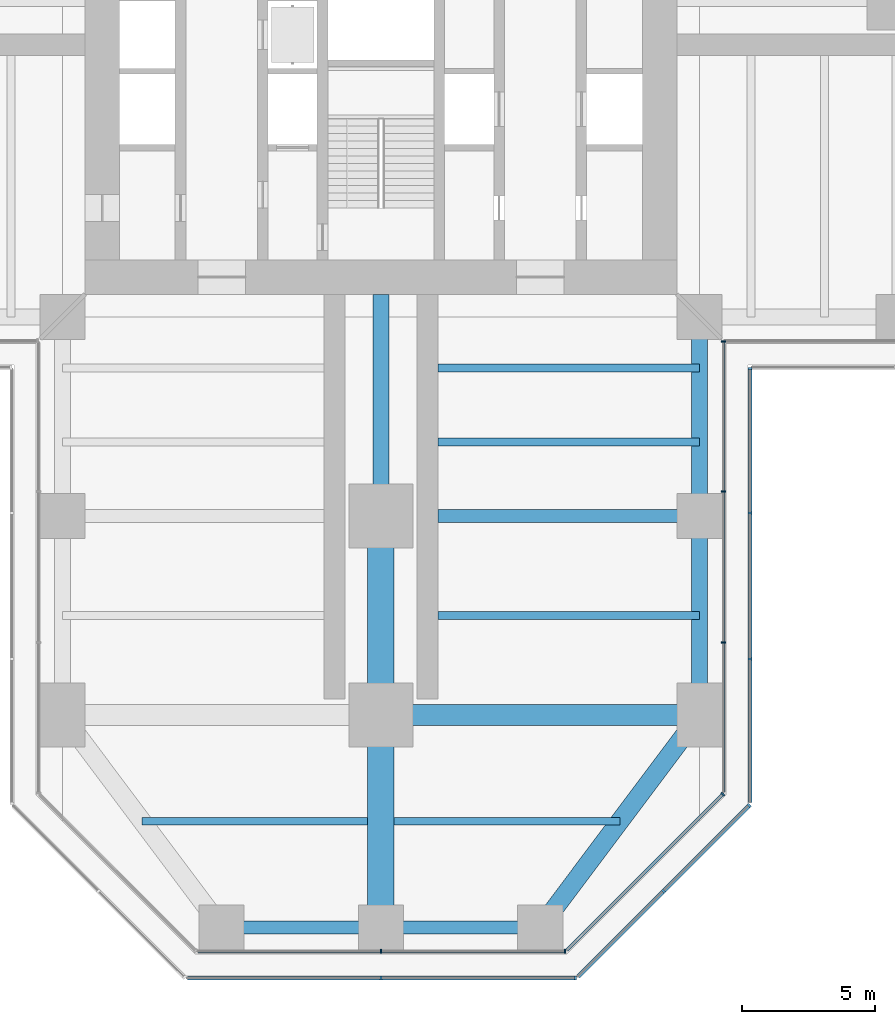
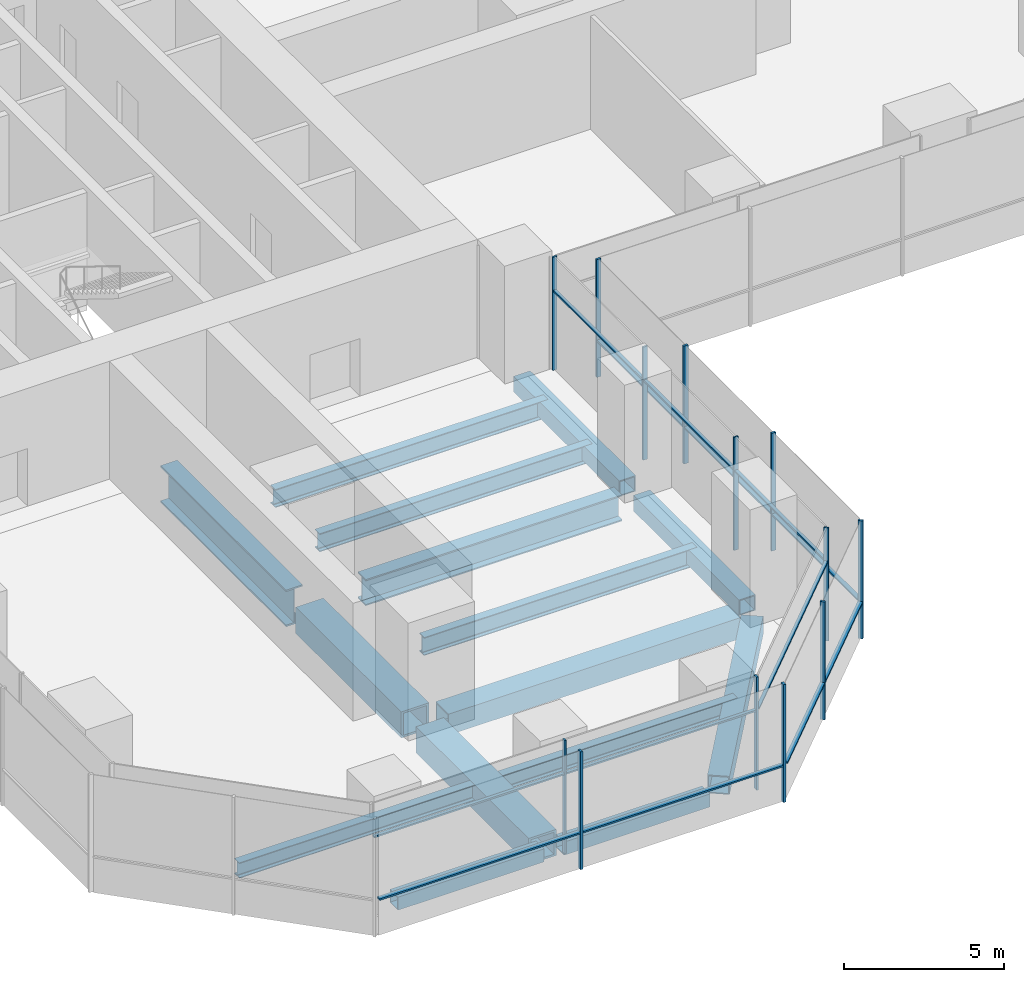
# One storey, part 5 of 27: 26 members, 15 beams, 6 elements without a shape of their own.
"""IFC4 building model written with IfcOpenShell, lengths in metres."""

from ifc_helpers import new_model, si_unit, direction, frame, origin, origin_2d, place, context, subcontext, project, spatial, rectangle, hollow_rectangle, i_section, extrude, material, material_profile, profile_set, type_object, element, aggregate, save


model = new_model("IFC4")

# Units and contexts
model_context = context("Model", 3, precision=1e-05, world=origin(), true_north=direction((0.0, 1.0)))
body_context = subcontext(model_context, "Body", "Model", "MODEL_VIEW")
ifc_project = project(units=[si_unit("LENGTHUNIT", "METRE"), si_unit("AREAUNIT", "SQUARE_METRE"), si_unit("VOLUMEUNIT", "CUBIC_METRE"), si_unit("PLANEANGLEUNIT", "RADIAN"), si_unit("MASSUNIT", "GRAM", prefix="KILO")], contexts=[model_context])

# Site, building, storey
site_placement = place(None, origin())
site = spatial("IfcSite", under=ifc_project, at=site_placement, CompositionType="ELEMENT")
building_placement = place(site_placement, origin())
building = spatial("IfcBuilding", under=site, at=building_placement, Name="Mizan Broadcast Tower", CompositionType="ELEMENT")
storey_placement = place(building_placement, frame((0.0, 0.0, 113.699951171875)))
storey = spatial("IfcBuildingStorey", under=building, at=storey_placement, Name="L25", CompositionType="ELEMENT", Elevation=113.699951171875)

# Beams
ifc_material_1 = material(Name="Steel S355", Category="steel")
ifc_material_profile_1 = material_profile(ifc_material_1, hollow_rectangle(XDim=0.5, YDim=0.5, WallThickness=0.030029296875, at=origin_2d()), Name="BOX 500x500x30")
ifc_profile_set_1 = profile_set([ifc_material_profile_1], Name="Steel S355")
beam_type_1 = type_object("IfcBeamType", Name="EDGE BEAM BOX 500x500x30", PredefinedType="SPANDREL", material=ifc_profile_set_1)
for number, where, z_axis, x_axis, name in (
    (1, (-5.639892578125, -35.0, -0.3798828125), (1.0, 0.0, 0.0), (0.0, 1.0, 0.0), "Edge beam BOX 500x500x30 L25 south arm"),
    (2, (5.639892578125, -35.0, -0.3798828125), (-1.0, 0.0, 0.0), (0.0, -1.0, 0.0), "Edge beam BOX 500x500x30 L25 south arm"),
):
    element("IfcBeam", number, at=place(storey_placement, frame(where, z_axis=z_axis, x_axis=x_axis)), inside=storey, type_object=beam_type_1, Name=name, PredefinedType="SPANDREL", context=body_context, shape_type="SweptSolid", body=[
        extrude(hollow_rectangle(XDim=0.5, YDim=0.5, WallThickness=0.030029296875, at=origin_2d()), origin(), (0.0, 0.0, 1.0), 5.27978515625),
    ])
ifc_material_2 = material(Name="Steel S355", Category="steel")
ifc_material_profile_2 = material_profile(ifc_material_2, hollow_rectangle(XDim=0.60009765625, YDim=0.60009765625, WallThickness=0.0400390625, at=origin_2d()), Name="BOX 600x600x40")
ifc_profile_set_2 = profile_set([ifc_material_profile_2], Name="Steel S355")
beam_type_2 = type_object("IfcBeamType", Name="EDGE BEAM BOX 600x600x40", PredefinedType="SPANDREL", material=ifc_profile_set_2)
for number, where, z_axis, x_axis, name in (
    (3, (12.0, -12.449951171875, -0.429931640625), (0.0, -1.0, 0.0), (1.0, 0.0, 0.0), "Edge beam BOX 600x600x40 L25 south arm"),
    (4, (12.0, -19.949951171875, -0.429931640625), (0.0, -1.0, 0.0), (1.0, 0.0, 0.0), "Edge beam BOX 600x600x40 L25 south arm"),
):
    element("IfcBeam", number, at=place(storey_placement, frame(where, z_axis=z_axis, x_axis=x_axis)), inside=storey, type_object=beam_type_2, Name=name, PredefinedType="SPANDREL", context=body_context, shape_type="SweptSolid", body=[
        extrude(hollow_rectangle(XDim=0.60009765625, YDim=0.60009765625, WallThickness=0.0400390625, at=origin_2d()), origin(), (0.0, 0.0, 1.0), 6.60009765625),
    ])
ifc_material_3 = material(Name="Steel S355", Category="steel")
ifc_material_profile_3 = material_profile(ifc_material_3, hollow_rectangle(XDim=0.699951171875, YDim=0.699951171875, WallThickness=0.0400390625, at=origin_2d()), Name="BOX 700x700x40")
ifc_profile_set_3 = profile_set([ifc_material_profile_3], Name="Steel S355")
beam_type_3 = type_object("IfcBeamType", Name="EDGE BEAM BOX 700x700x40", PredefinedType="SPANDREL", material=ifc_profile_set_3)
beam_1_placement = place(storey_placement, frame((11.639892578125, -27.47998046875, -0.47998046875), z_axis=(-0.599982243973, -0.800013316712, 0.0), x_axis=(0.800013316712, -0.599982243973, 0.0)))
element("IfcBeam", 5, at=beam_1_placement, inside=storey, type_object=beam_type_3, Name="Edge beam BOX 700x700x40 L25 south arm", PredefinedType="SPANDREL", context=body_context, shape_type="SweptSolid", body=[
    extrude(hollow_rectangle(XDim=0.699951171875, YDim=0.699951171875, WallThickness=0.0400390625, at=origin_2d()), origin(), (0.0, 0.0, 1.0), 8.7998046875),
])
ifc_material_4 = material(Name="Steel S460", Category="steel")
ifc_material_profile_4 = material_profile(ifc_material_4, hollow_rectangle(XDim=1.0, YDim=1.0, WallThickness=0.080078125, at=origin_2d()), Name="BOX 1000x1000x80")
ifc_profile_set_4 = profile_set([ifc_material_profile_4], Name="Steel S460")
beam_type_4 = type_object("IfcBeamType", Name="GIRDER BOX 1000x1000x80", PredefinedType="BEAM", material=ifc_profile_set_4)
beam_2_placement = place(storey_placement, frame((0.0, -19.949951171875, -0.6298828125), z_axis=(0.0, -1.0, 0.0), x_axis=(1.0, 0.0, 0.0)))
element("IfcBeam", 6, at=beam_2_placement, inside=storey, type_object=beam_type_4, Name="Girder BOX 1000x1000x80 L25 south arm", PredefinedType="BEAM", context=body_context, shape_type="SweptSolid", body=[
    extrude(hollow_rectangle(XDim=1.0, YDim=1.0, WallThickness=0.080078125, at=origin_2d()), origin(), (0.0, 0.0, 1.0), 6.60009765625),
])
beam_3_placement = place(storey_placement, frame((0.0, -27.47998046875, -0.6298828125), z_axis=(0.0, -1.0, 0.0), x_axis=(1.0, 0.0, 0.0)))
element("IfcBeam", 7, at=beam_3_placement, inside=storey, type_object=beam_type_4, Name="Girder BOX 1000x1000x80 L25 south arm", PredefinedType="BEAM", context=body_context, shape_type="SweptSolid", body=[
    extrude(hollow_rectangle(XDim=1.0, YDim=1.0, WallThickness=0.080078125, at=origin_2d()), origin(), (0.0, 0.0, 1.0), 7.0400390625),
])
ifc_material_5 = material(Name="Steel S460", Category="steel")
ifc_material_profile_5 = material_profile(ifc_material_5, hollow_rectangle(XDim=0.800048828125, YDim=0.800048828125, WallThickness=0.050048828125, at=origin_2d()), Name="BOX 800x800x50")
ifc_profile_set_5 = profile_set([ifc_material_profile_5], Name="Steel S460")
beam_type_5 = type_object("IfcBeamType", Name="GIRDER BOX 800x800x50", PredefinedType="BEAM", material=ifc_profile_set_5)
beam_4_placement = place(storey_placement, frame((11.280029296875, -27.0, -0.530029296875), z_axis=(-1.0, 0.0, 0.0), x_axis=(0.0, -1.0, 0.0)))
element("IfcBeam", 8, at=beam_4_placement, inside=storey, type_object=beam_type_5, Name="Girder BOX 800x800x50 L25 south arm", PredefinedType="BEAM", context=body_context, shape_type="SweptSolid", body=[
    extrude(hollow_rectangle(XDim=0.800048828125, YDim=0.800048828125, WallThickness=0.050048828125, at=origin_2d()), origin(), (0.0, 0.0, 1.0), 10.56005859375),
])
ifc_material_6 = material(Name="Steel S460", Category="steel")
ifc_material_profile_6 = material_profile(ifc_material_6, i_section(OverallWidth=0.5, OverallDepth=1.0, WebThickness=0.02490234375, FlangeThickness=0.050048828125, at=origin_2d()), Name="WPG 1000x500")
ifc_profile_set_6 = profile_set([ifc_material_profile_6], Name="Steel S460")
beam_type_6 = type_object("IfcBeamType", Name="GIRDER WPG 1000x500", PredefinedType="BEAM", material=ifc_profile_set_6)
beam_5_placement = place(storey_placement, frame((11.408935546875, -19.5, -0.6298828125), z_axis=(-1.0, 0.0, 0.0), x_axis=(0.0, -1.0, 0.0)))
element("IfcBeam", 9, at=beam_5_placement, inside=storey, type_object=beam_type_6, Name="Girder WPG 1000x500 L25 south arm", PredefinedType="BEAM", context=body_context, shape_type="SweptSolid", body=[
    extrude(i_section(OverallWidth=0.5, OverallDepth=1.0, WebThickness=0.02490234375, FlangeThickness=0.050048828125, at=origin_2d()), origin(), (0.0, 0.0, 1.0), 9.259033203125),
])
ifc_material_7 = material(Name="Steel S460", Category="steel")
ifc_material_profile_7 = material_profile(ifc_material_7, i_section(OverallWidth=0.60009765625, OverallDepth=1.39990234375, WebThickness=0.02490234375, FlangeThickness=0.06005859375, at=origin_2d()), Name="WPG 1400x600")
ifc_profile_set_7 = profile_set([ifc_material_profile_7], Name="Steel S460")
beam_type_7 = type_object("IfcBeamType", Name="GIRDER WPG 1400x600", PredefinedType="BEAM", material=ifc_profile_set_7)
beam_6_placement = place(storey_placement, frame((0.0, -11.14990234375, -0.829833984375), z_axis=(0.0, -1.0, 0.0), x_axis=(1.0, 0.0, 0.0)))
element("IfcBeam", 10, at=beam_6_placement, inside=storey, type_object=beam_type_7, Name="Girder WPG 1400x600 L25 south arm", PredefinedType="BEAM", context=body_context, shape_type="SweptSolid", body=[
    extrude(i_section(OverallWidth=0.60009765625, OverallDepth=1.39990234375, WebThickness=0.02490234375, FlangeThickness=0.06005859375, at=origin_2d()), origin(), (0.0, 0.0, 1.0), 7.84912109375),
])

# Curtain wall, members
ifc_material_8 = material(Name="Aluminium framed glazing", Category="aluminium")
curtain_wall_type_1 = type_object("IfcCurtainWallType", Name="INNER SKIN MID ZONE", PredefinedType="USERDEFINED", material=ifc_material_8)
curtain_wall_1_placement = place(storey_placement, origin())
curtain_wall_1 = element("IfcCurtainWall", 11, at=curtain_wall_1_placement, inside=storey, type_object=curtain_wall_type_1, Name="Inner skin mid zone L25 S end", ObjectType="INNER SKIN MID ZONE", PredefinedType="USERDEFINED")
ifc_material_9 = material(Name="Aluminium, pale anodised", Category="aluminium")
ifc_material_profile_8 = material_profile(ifc_material_9, rectangle(XDim=0.159912109375, YDim=0.06005859375, at=origin_2d()), Name="MULLION 160x60")
ifc_profile_set_8 = profile_set([ifc_material_profile_8], Name="Aluminium, pale anodised")
member_type_1 = type_object("IfcMemberType", Name="INNER SKIN MULLION 60x160", PredefinedType="MULLION", material=ifc_profile_set_8)
member_1_placement = place(storey_placement, frame((0.0, -35.89990234375, 0.0), z_axis=(0.0, 0.0, 1.0), x_axis=(0.0, 1.0, 0.0)))
member_1 = element("IfcMember", 12, at=member_1_placement, type_object=member_type_1, Name="Inner skin mid zone L25 S end mullion 2", PredefinedType="MULLION", context=body_context, shape_type="SweptSolid", body=[
    extrude(rectangle(XDim=0.159912109375, YDim=0.06005859375, at=origin_2d()), origin(), (0.0, 0.0, 1.0), 4.320068359375),
])
member_2_placement = place(storey_placement, frame((6.928466796875, -35.89990234375, 0.0), z_axis=(0.0, 0.0, 1.0), x_axis=(0.0, 1.0, 0.0)))
member_2 = element("IfcMember", 13, at=member_2_placement, type_object=member_type_1, Name="Inner skin mid zone L25 S end mullion 3", PredefinedType="MULLION", context=body_context, shape_type="SweptSolid", body=[
    extrude(rectangle(XDim=0.159912109375, YDim=0.06005859375, at=origin_2d()), origin(), (0.0, 0.0, 1.0), 4.320068359375),
])

# Curtain wall, member
curtain_wall_2_placement = place(storey_placement, origin())
curtain_wall_2 = element("IfcCurtainWall", 14, at=curtain_wall_2_placement, inside=storey, type_object=curtain_wall_type_1, Name="Inner skin mid zone L25 S chamfer", ObjectType="INNER SKIN MID ZONE", PredefinedType="USERDEFINED")
member_3_placement = place(storey_placement, frame((12.87890625, -29.979736328125, 0.0), z_axis=(0.0, 0.0, 1.0), x_axis=(-0.707106781187, 0.707106781187, 0.0)))
member_3 = element("IfcMember", 15, at=member_3_placement, type_object=member_type_1, Name="Inner skin mid zone L25 S chamfer mullion 2", PredefinedType="MULLION", context=body_context, shape_type="SweptSolid", body=[
    extrude(rectangle(XDim=0.159912109375, YDim=0.06005859375, at=origin_2d()), origin(), (0.0, 0.0, 1.0), 4.320068359375),
])

# Curtain wall, members
curtain_wall_3_placement = place(storey_placement, origin())
curtain_wall_3 = element("IfcCurtainWall", 16, at=curtain_wall_3_placement, inside=storey, type_object=curtain_wall_type_1, Name="Inner skin mid zone L25 S side", ObjectType="INNER SKIN MID ZONE", PredefinedType="USERDEFINED")
member_4_placement = place(storey_placement, frame((12.89990234375, -24.2724609375, 0.0), z_axis=(0.0, 0.0, 1.0), x_axis=(-1.0, 0.0, 0.0)))
member_4 = element("IfcMember", 17, at=member_4_placement, type_object=member_type_1, Name="Inner skin mid zone L25 S side mullion 2", PredefinedType="MULLION", context=body_context, shape_type="SweptSolid", body=[
    extrude(rectangle(XDim=0.159912109375, YDim=0.06005859375, at=origin_2d()), origin(), (0.0, 0.0, 1.0), 4.320068359375),
])
member_5_placement = place(storey_placement, frame((12.89990234375, -18.586181640625, 0.0), z_axis=(0.0, 0.0, 1.0), x_axis=(-1.0, 0.0, 0.0)))
member_5 = element("IfcMember", 18, at=member_5_placement, type_object=member_type_1, Name="Inner skin mid zone L25 S side mullion 3", PredefinedType="MULLION", context=body_context, shape_type="SweptSolid", body=[
    extrude(rectangle(XDim=0.159912109375, YDim=0.06005859375, at=origin_2d()), origin(), (0.0, 0.0, 1.0), 4.320068359375),
])
member_6_placement = place(storey_placement, frame((12.89990234375, -12.929931640625, 0.0), z_axis=(0.0, 0.0, 1.0), x_axis=(-1.0, 0.0, 0.0)))
member_6 = element("IfcMember", 19, at=member_6_placement, type_object=member_type_1, Name="Inner skin mid zone L25 S side mullion 4", PredefinedType="MULLION", context=body_context, shape_type="SweptSolid", body=[
    extrude(rectangle(XDim=0.159912109375, YDim=0.06005859375, at=origin_2d()), origin(), (0.0, 0.0, 1.0), 4.320068359375),
])

# Member
ifc_material_10 = material(Name="Aluminium, pale anodised", Category="aluminium")
ifc_material_profile_9 = material_profile(ifc_material_10, rectangle(XDim=0.1201171875, YDim=0.06005859375, at=origin_2d()), Name="TRANSOM 120x60")
ifc_profile_set_9 = profile_set([ifc_material_profile_9], Name="Aluminium, pale anodised")
member_type_2 = type_object("IfcMemberType", Name="INNER SKIN TRANSOM 60x120", PredefinedType="USERDEFINED", material=ifc_profile_set_9)
member_7_placement = place(storey_placement, frame((-6.898681640625, -35.89990234375, 3.030029296875), z_axis=(1.0, 0.0, 0.0), x_axis=(0.0, 1.0, 0.0)))
member_7 = element("IfcMember", 20, at=member_7_placement, type_object=member_type_2, Name="Inner skin mid zone L25 S end transom 1.1", ObjectType="TRANSOM", PredefinedType="USERDEFINED", context=body_context, shape_type="SweptSolid", body=[
    extrude(rectangle(XDim=0.1201171875, YDim=0.06005859375, at=origin_2d()), origin(), (0.0, 0.0, 1.0), 6.86865234375),
])

member_8_placement = place(storey_placement, frame((0.030029296875, -35.89990234375, 3.030029296875), z_axis=(1.0, 0.0, 0.0), x_axis=(0.0, 1.0, 0.0)))
member_8 = element("IfcMember", 21, at=member_8_placement, type_object=member_type_2, Name="Inner skin mid zone L25 S end transom 2.1", ObjectType="TRANSOM", PredefinedType="USERDEFINED", context=body_context, shape_type="SweptSolid", body=[
    extrude(rectangle(XDim=0.1201171875, YDim=0.06005859375, at=origin_2d()), origin(), (0.0, 0.0, 1.0), 6.86865234375),
])

aggregate(curtain_wall_1, [member_1, member_2, member_7, member_8])

member_9_placement = place(storey_placement, frame((7.0009765625, -35.857666015625, 3.030029296875), z_axis=(0.707106781187, 0.707106781187, 0.0), x_axis=(-0.707106781187, 0.707106781187, 0.0)))
member_9 = element("IfcMember", 22, at=member_9_placement, type_object=member_type_2, Name="Inner skin mid zone L25 S chamfer transom 1.1", ObjectType="TRANSOM", PredefinedType="USERDEFINED", context=body_context, shape_type="SweptSolid", body=[
    extrude(rectangle(XDim=0.1201171875, YDim=0.06005859375, at=origin_2d()), origin(), (0.0, 0.0, 1.0), 8.28271484375),
])

aggregate(curtain_wall_2, [member_3, member_9])

member_10_placement = place(storey_placement, frame((12.89990234375, -29.898681640625, 3.030029296875), z_axis=(0.0, 1.0, 0.0), x_axis=(-1.0, 0.0, 0.0)))
member_10 = element("IfcMember", 23, at=member_10_placement, type_object=member_type_2, Name="Inner skin mid zone L25 S side transom 1.1", ObjectType="TRANSOM", PredefinedType="USERDEFINED", context=body_context, shape_type="SweptSolid", body=[
    extrude(rectangle(XDim=0.1201171875, YDim=0.06005859375, at=origin_2d()), origin(), (0.0, 0.0, 1.0), 5.59619140625),
])

member_11_placement = place(storey_placement, frame((12.89990234375, -24.242431640625, 3.030029296875), z_axis=(0.0, 1.0, 0.0), x_axis=(-1.0, 0.0, 0.0)))
member_11 = element("IfcMember", 24, at=member_11_placement, type_object=member_type_2, Name="Inner skin mid zone L25 S side transom 2.1", ObjectType="TRANSOM", PredefinedType="USERDEFINED", context=body_context, shape_type="SweptSolid", body=[
    extrude(rectangle(XDim=0.1201171875, YDim=0.06005859375, at=origin_2d()), origin(), (0.0, 0.0, 1.0), 5.626220703125),
])

member_12_placement = place(storey_placement, frame((12.89990234375, -18.55615234375, 3.030029296875), z_axis=(0.0, 1.0, 0.0), x_axis=(-1.0, 0.0, 0.0)))
member_12 = element("IfcMember", 25, at=member_12_placement, type_object=member_type_2, Name="Inner skin mid zone L25 S side transom 3.1", ObjectType="TRANSOM", PredefinedType="USERDEFINED", context=body_context, shape_type="SweptSolid", body=[
    extrude(rectangle(XDim=0.1201171875, YDim=0.06005859375, at=origin_2d()), origin(), (0.0, 0.0, 1.0), 5.59619140625),
])

aggregate(curtain_wall_3, [member_4, member_5, member_6, member_10, member_11, member_12])

# Curtain wall, members
ifc_material_11 = material(Name="Aluminium framed glazing", Category="aluminium")
curtain_wall_type_2 = type_object("IfcCurtainWallType", Name="OUTER SKIN", PredefinedType="USERDEFINED", material=ifc_material_11)
curtain_wall_4_placement = place(storey_placement, origin())
curtain_wall_4 = element("IfcCurtainWall", 26, at=curtain_wall_4_placement, inside=storey, type_object=curtain_wall_type_2, Name="Outer skin L25 S end", ObjectType="OUTER SKIN", PredefinedType="USERDEFINED")
ifc_material_12 = material(Name="Aluminium, pale anodised", Category="aluminium")
ifc_material_profile_10 = material_profile(ifc_material_12, rectangle(XDim=0.159912109375, YDim=0.080078125, at=origin_2d()), Name="MULLION 160x80")
ifc_profile_set_10 = profile_set([ifc_material_profile_10], Name="Aluminium, pale anodised")
member_type_3 = type_object("IfcMemberType", Name="OUTER SKIN MULLION 80x160", PredefinedType="MULLION", material=ifc_profile_set_10)
member_13_placement = place(storey_placement, frame((0.0, -36.89990234375, 0.0), z_axis=(0.0, 0.0, 1.0), x_axis=(0.0, 1.0, 0.0)))
member_13 = element("IfcMember", 27, at=member_13_placement, type_object=member_type_3, Name="Outer skin L25 S end mullion 2", PredefinedType="MULLION", context=body_context, shape_type="SweptSolid", body=[
    extrude(rectangle(XDim=0.159912109375, YDim=0.080078125, at=origin_2d()), origin(), (0.0, 0.0, 1.0), 4.5),
])
member_14_placement = place(storey_placement, frame((7.332763671875, -36.89990234375, 0.0), z_axis=(0.0, 0.0, 1.0), x_axis=(0.0, 1.0, 0.0)))
member_14 = element("IfcMember", 28, at=member_14_placement, type_object=member_type_3, Name="Outer skin L25 S end mullion 3", PredefinedType="MULLION", context=body_context, shape_type="SweptSolid", body=[
    extrude(rectangle(XDim=0.159912109375, YDim=0.080078125, at=origin_2d()), origin(), (0.0, 0.0, 1.0), 4.5),
])

curtain_wall_5_placement = place(storey_placement, origin())
curtain_wall_5 = element("IfcCurtainWall", 29, at=curtain_wall_5_placement, inside=storey, type_object=curtain_wall_type_2, Name="Outer skin L25 S chamfer", ObjectType="OUTER SKIN", PredefinedType="USERDEFINED")
member_15_placement = place(storey_placement, frame((10.636474609375, -33.636474609375, 0.0), z_axis=(0.0, 0.0, 1.0), x_axis=(-0.707106781187, 0.707106781187, 0.0)))
member_15 = element("IfcMember", 30, at=member_15_placement, type_object=member_type_3, Name="Outer skin L25 S chamfer mullion 2", PredefinedType="MULLION", context=body_context, shape_type="SweptSolid", body=[
    extrude(rectangle(XDim=0.159912109375, YDim=0.080078125, at=origin_2d()), origin(), (0.0, 0.0, 1.0), 4.5),
])
member_16_placement = place(storey_placement, frame((13.871826171875, -30.401123046875, 0.0), z_axis=(0.0, 0.0, 1.0), x_axis=(-0.707106781187, 0.707106781187, 0.0)))
member_16 = element("IfcMember", 31, at=member_16_placement, type_object=member_type_3, Name="Outer skin L25 S chamfer mullion 3", PredefinedType="MULLION", context=body_context, shape_type="SweptSolid", body=[
    extrude(rectangle(XDim=0.159912109375, YDim=0.080078125, at=origin_2d()), origin(), (0.0, 0.0, 1.0), 4.5),
])

curtain_wall_6_placement = place(storey_placement, origin())
curtain_wall_6 = element("IfcCurtainWall", 32, at=curtain_wall_6_placement, inside=storey, type_object=curtain_wall_type_2, Name="Outer skin L25 S side", ObjectType="OUTER SKIN", PredefinedType="USERDEFINED")
member_17_placement = place(storey_placement, frame((13.89990234375, -24.8818359375, 0.0), z_axis=(0.0, 0.0, 1.0), x_axis=(-1.0, 0.0, 0.0)))
member_17 = element("IfcMember", 33, at=member_17_placement, type_object=member_type_3, Name="Outer skin L25 S side mullion 2", PredefinedType="MULLION", context=body_context, shape_type="SweptSolid", body=[
    extrude(rectangle(XDim=0.159912109375, YDim=0.080078125, at=origin_2d()), origin(), (0.0, 0.0, 1.0), 4.5),
])
member_18_placement = place(storey_placement, frame((13.89990234375, -19.390869140625, 0.0), z_axis=(0.0, 0.0, 1.0), x_axis=(-1.0, 0.0, 0.0)))
member_18 = element("IfcMember", 34, at=member_18_placement, type_object=member_type_3, Name="Outer skin L25 S side mullion 3", PredefinedType="MULLION", context=body_context, shape_type="SweptSolid", body=[
    extrude(rectangle(XDim=0.159912109375, YDim=0.080078125, at=origin_2d()), origin(), (0.0, 0.0, 1.0), 4.5),
])
member_19_placement = place(storey_placement, frame((13.89990234375, -13.93994140625, 0.0), z_axis=(0.0, 0.0, 1.0), x_axis=(-1.0, 0.0, 0.0)))
member_19 = element("IfcMember", 35, at=member_19_placement, type_object=member_type_3, Name="Outer skin L25 S side mullion 4", PredefinedType="MULLION", context=body_context, shape_type="SweptSolid", body=[
    extrude(rectangle(XDim=0.159912109375, YDim=0.080078125, at=origin_2d()), origin(), (0.0, 0.0, 1.0), 4.5),
])

# Member
ifc_material_13 = material(Name="Aluminium, pale anodised", Category="aluminium")
ifc_material_profile_11 = material_profile(ifc_material_13, rectangle(XDim=0.159912109375, YDim=0.06005859375, at=origin_2d()), Name="TRANSOM 160x60")
ifc_profile_set_11 = profile_set([ifc_material_profile_11], Name="Aluminium, pale anodised")
member_type_4 = type_object("IfcMemberType", Name="OUTER SKIN TRANSOM 60x160", PredefinedType="USERDEFINED", material=ifc_profile_set_11)
member_20_placement = place(storey_placement, frame((-7.292724609375, -36.89990234375, 1.400146484375), z_axis=(1.0, 0.0, 0.0), x_axis=(0.0, 1.0, 0.0)))
member_20 = element("IfcMember", 36, at=member_20_placement, type_object=member_type_4, Name="Outer skin L25 S end transom 1.1", ObjectType="TRANSOM", PredefinedType="USERDEFINED", context=body_context, shape_type="SweptSolid", body=[
    extrude(rectangle(XDim=0.159912109375, YDim=0.06005859375, at=origin_2d()), origin(), (0.0, 0.0, 1.0), 7.252685546875),
])

member_21_placement = place(storey_placement, frame((0.0400390625, -36.89990234375, 1.400146484375), z_axis=(1.0, 0.0, 0.0), x_axis=(0.0, 1.0, 0.0)))
member_21 = element("IfcMember", 37, at=member_21_placement, type_object=member_type_4, Name="Outer skin L25 S end transom 2.1", ObjectType="TRANSOM", PredefinedType="USERDEFINED", context=body_context, shape_type="SweptSolid", body=[
    extrude(rectangle(XDim=0.159912109375, YDim=0.06005859375, at=origin_2d()), origin(), (0.0, 0.0, 1.0), 7.252685546875),
])

aggregate(curtain_wall_4, [member_13, member_14, member_20, member_21])

member_22_placement = place(storey_placement, frame((7.429443359375, -36.843505859375, 1.400146484375), z_axis=(0.707106781187, 0.707106781187, 0.0), x_axis=(-0.707106781187, 0.707106781187, 0.0)))
member_22 = element("IfcMember", 38, at=member_22_placement, type_object=member_type_4, Name="Outer skin L25 S chamfer transom 1.1", ObjectType="TRANSOM", PredefinedType="USERDEFINED", context=body_context, shape_type="SweptSolid", body=[
    extrude(rectangle(XDim=0.159912109375, YDim=0.06005859375, at=origin_2d()), origin(), (0.0, 0.0, 1.0), 4.495361328125),
])

member_23_placement = place(storey_placement, frame((10.664794921875, -33.608154296875, 1.400146484375), z_axis=(0.707106781187, 0.707106781187, 0.0), x_axis=(-0.707106781187, 0.707106781187, 0.0)))
member_23 = element("IfcMember", 39, at=member_23_placement, type_object=member_type_4, Name="Outer skin L25 S chamfer transom 2.1", ObjectType="TRANSOM", PredefinedType="USERDEFINED", context=body_context, shape_type="SweptSolid", body=[
    extrude(rectangle(XDim=0.159912109375, YDim=0.06005859375, at=origin_2d()), origin(), (0.0, 0.0, 1.0), 4.495361328125),
])

aggregate(curtain_wall_5, [member_15, member_16, member_22, member_23])

member_24_placement = place(storey_placement, frame((13.89990234375, -30.292724609375, 1.400146484375), z_axis=(0.0, 1.0, 0.0), x_axis=(-1.0, 0.0, 0.0)))
member_24 = element("IfcMember", 40, at=member_24_placement, type_object=member_type_4, Name="Outer skin L25 S side transom 1.1", ObjectType="TRANSOM", PredefinedType="USERDEFINED", context=body_context, shape_type="SweptSolid", body=[
    extrude(rectangle(XDim=0.159912109375, YDim=0.06005859375, at=origin_2d()), origin(), (0.0, 0.0, 1.0), 5.370849609375),
])

member_25_placement = place(storey_placement, frame((13.89990234375, -24.841796875, 1.400146484375), z_axis=(0.0, 1.0, 0.0), x_axis=(-1.0, 0.0, 0.0)))
member_25 = element("IfcMember", 41, at=member_25_placement, type_object=member_type_4, Name="Outer skin L25 S side transom 2.1", ObjectType="TRANSOM", PredefinedType="USERDEFINED", context=body_context, shape_type="SweptSolid", body=[
    extrude(rectangle(XDim=0.159912109375, YDim=0.06005859375, at=origin_2d()), origin(), (0.0, 0.0, 1.0), 5.410888671875),
])

member_26_placement = place(storey_placement, frame((13.89990234375, -19.350830078125, 1.400146484375), z_axis=(0.0, 1.0, 0.0), x_axis=(-1.0, 0.0, 0.0)))
member_26 = element("IfcMember", 42, at=member_26_placement, type_object=member_type_4, Name="Outer skin L25 S side transom 3.1", ObjectType="TRANSOM", PredefinedType="USERDEFINED", context=body_context, shape_type="SweptSolid", body=[
    extrude(rectangle(XDim=0.159912109375, YDim=0.06005859375, at=origin_2d()), origin(), (0.0, 0.0, 1.0), 5.370849609375),
])

aggregate(curtain_wall_6, [member_17, member_18, member_19, member_24, member_25, member_26])

# Beams
ifc_material_14 = material(Name="Steel S355", Category="steel")
ifc_material_profile_12 = material_profile(ifc_material_14, i_section(OverallWidth=0.300048828125, OverallDepth=0.590087890625, WebThickness=0.012939453125, FlangeThickness=0.02490234375, FilletRadius=0.027099609375, at=origin_2d()), Name="HEA 600")
ifc_profile_set_12 = profile_set([ifc_material_profile_12], Name="Steel S355")
beam_type_8 = type_object("IfcBeamType", Name="SECONDARY BEAM HEA 600", PredefinedType="JOIST", material=ifc_profile_set_12)
for number, where, z_axis, x_axis, name in (
    (43, (-9.0, -31.0, -0.425048828125), (1.0, 0.0, 0.0), (0.0, 1.0, 0.0), "Secondary beam HEA 600 L25 south arm"),
    (44, (9.0, -31.0, -0.425048828125), (-1.0, 0.0, 0.0), (0.0, -1.0, 0.0), "Secondary beam HEA 600 L25 south arm"),
):
    element("IfcBeam", number, at=place(storey_placement, frame(where, z_axis=z_axis, x_axis=x_axis)), inside=storey, type_object=beam_type_8, Name=name, PredefinedType="JOIST", context=body_context, shape_type="SweptSolid", body=[
        extrude(i_section(OverallWidth=0.300048828125, OverallDepth=0.590087890625, WebThickness=0.012939453125, FlangeThickness=0.02490234375, FilletRadius=0.027099609375, at=origin_2d()), origin(), (0.0, 0.0, 1.0), 8.5),
    ])
ifc_material_15 = material(Name="Steel S355", Category="steel")
ifc_material_profile_13 = material_profile(ifc_material_15, i_section(OverallWidth=0.300048828125, OverallDepth=0.68994140625, WebThickness=0.014404296875, FlangeThickness=0.027099609375, FilletRadius=0.027099609375, at=origin_2d()), Name="HEA 700")
ifc_profile_set_13 = profile_set([ifc_material_profile_13], Name="Steel S355")
beam_type_9 = type_object("IfcBeamType", Name="SECONDARY BEAM HEA 700", PredefinedType="JOIST", material=ifc_profile_set_13)
for number, where, z_axis, x_axis, name in (
    (45, (12.0, -13.933349609375, -0.474853515625), (-1.0, 0.0, 0.0), (0.0, -1.0, 0.0), "Secondary beam HEA 700 L25 south arm"),
    (46, (12.0, -16.716552734375, -0.474853515625), (-1.0, 0.0, 0.0), (0.0, -1.0, 0.0), "Secondary beam HEA 700 L25 south arm"),
    (47, (12.0, -23.25, -0.474853515625), (-1.0, 0.0, 0.0), (0.0, -1.0, 0.0), "Secondary beam HEA 700 L25 south arm"),
):
    element("IfcBeam", number, at=place(storey_placement, frame(where, z_axis=z_axis, x_axis=x_axis)), inside=storey, type_object=beam_type_9, Name=name, PredefinedType="JOIST", context=body_context, shape_type="SweptSolid", body=[
        extrude(i_section(OverallWidth=0.300048828125, OverallDepth=0.68994140625, WebThickness=0.014404296875, FlangeThickness=0.027099609375, FilletRadius=0.027099609375, at=origin_2d()), origin(), (0.0, 0.0, 1.0), 9.85009765625),
    ])

save(model, "model.ifc")
